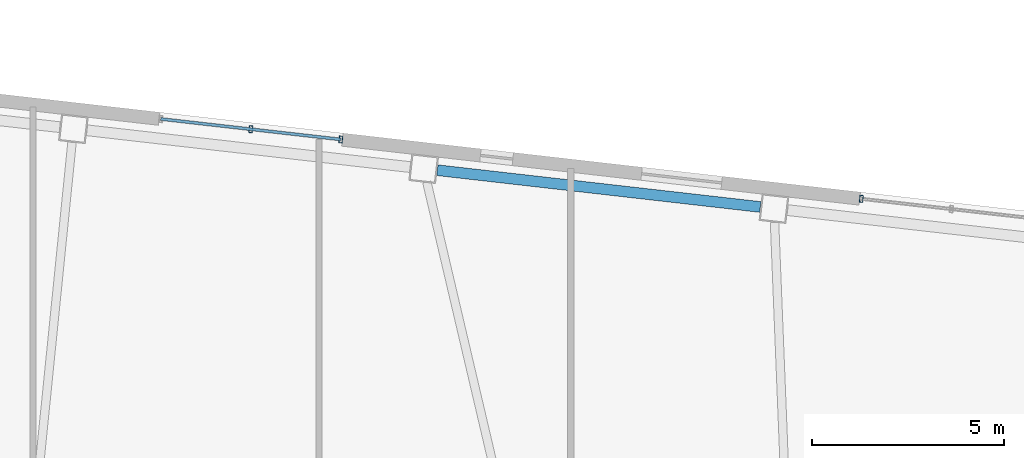
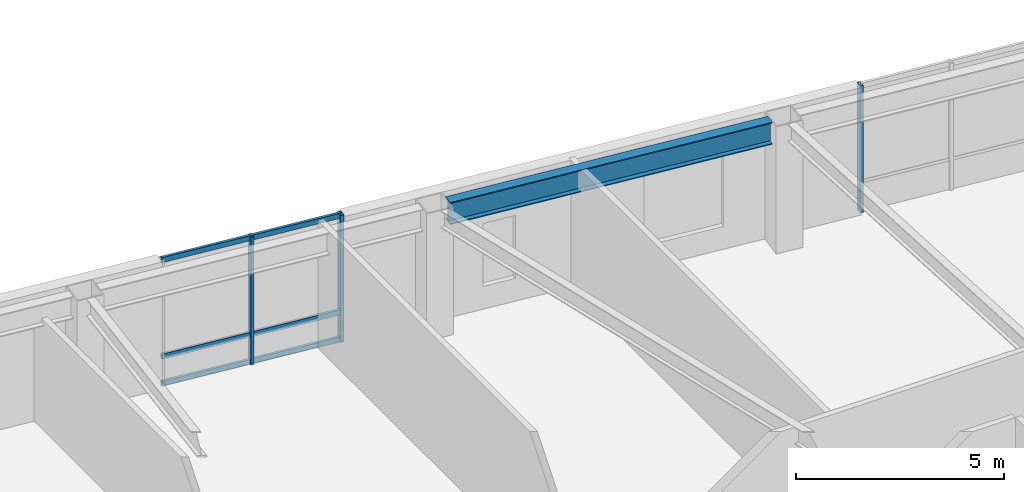
# One storey, part 9 of 22: 6 members, 1 beam, 2 elements without a shape of their own.
"""IFC4 building model written with IfcOpenShell, lengths in metres."""

from ifc_helpers import new_model, si_unit, direction, frame, origin, origin_2d, place, context, subcontext, project, spatial, hollow_rectangle, i_section, extrude, material, layer, layer_set, material_profile, profile_set, type_object, element, aggregate, save


model = new_model("IFC4")

# Units and contexts
model_context = context("Model", 3, precision=1e-05, world=origin(), true_north=direction((0.0, 1.0)))
body_context = subcontext(model_context, "Body", "Model", "MODEL_VIEW")
ifc_project = project(units=[si_unit("LENGTHUNIT", "METRE"), si_unit("AREAUNIT", "SQUARE_METRE"), si_unit("VOLUMEUNIT", "CUBIC_METRE"), si_unit("PLANEANGLEUNIT", "RADIAN"), si_unit("MASSUNIT", "GRAM", prefix="KILO")], contexts=[model_context])

# Site, building, storey
site_placement = place(None, origin())
site = spatial("IfcSite", under=ifc_project, at=site_placement, CompositionType="ELEMENT")
building_placement = place(site_placement, origin())
building = spatial("IfcBuilding", under=site, at=building_placement, Name="Tavrogorsk Clinical Tower", CompositionType="ELEMENT")
storey_placement = place(building_placement, frame((0.0, 0.0, 93.39990234375)))
storey = spatial("IfcBuildingStorey", under=building, at=storey_placement, Name="L20", CompositionType="ELEMENT", Elevation=93.39990234375)

# Curtain wall, members
ifc_material_1 = material(Name="Anodised aluminium and triple IGU glazing", Category="aluminium")
ifc_layer = layer(ifc_material_1, 0.179931640625)
ifc_layer_set = layer_set([ifc_layer], Name="Anodised aluminium and triple IGU glazing")
curtain_wall_type = type_object("IfcCurtainWallType", Name="CW2_NorthSlot", PredefinedType="NOTDEFINED", material=ifc_layer_set)
curtain_wall_1_placement = place(storey_placement, origin())
curtain_wall_1 = element("IfcCurtainWall", 1, at=curtain_wall_1_placement, inside=storey, type_object=curtain_wall_type, Name="L20 Curtain Wall CW-L20-N-SLOT-1", PredefinedType="NOTDEFINED")
ifc_material_2 = material(Name="Anodised aluminium alloy AW-6060", Category="aluminium")
ifc_material_profile_1 = material_profile(ifc_material_2, hollow_rectangle(XDim=0.090087890625, YDim=0.179931640625, WallThickness=0.00634765625, at=origin_2d()), Name="RHS-180x90x6.3")
ifc_profile_set_1 = profile_set([ifc_material_profile_1], Name="Anodised aluminium alloy AW-6060")
member_type_1 = type_object("IfcMemberType", Name="CwMullion_180x90", PredefinedType="MULLION", material=ifc_profile_set_1)
member_1_placement = place(storey_placement, frame((-1.586181640625, 23.443603515625, 0.0), z_axis=(0.0, 0.0, 1.0), x_axis=(-0.993571858269, 0.113203191016, 0.0)))
member_1 = element("IfcMember", 2, at=member_1_placement, type_object=member_type_1, Name="CW-L20-N-SLOT-1 Mullion 1", PredefinedType="MULLION", context=body_context, shape_type="SweptSolid", body=[
    extrude(hollow_rectangle(XDim=0.090087890625, YDim=0.179931640625, WallThickness=0.00634765625, at=origin_2d()), origin(), (0.0, 0.0, 1.0), 3.739990234375),
])
member_2_placement = place(storey_placement, frame((-3.929931640625, 23.71044921875, 0.0), z_axis=(0.0, 0.0, 1.0), x_axis=(-0.993571858269, 0.113203191016, 0.0)))
member_2 = element("IfcMember", 3, at=member_2_placement, type_object=member_type_1, Name="CW-L20-N-SLOT-1 Mullion 2", PredefinedType="MULLION", context=body_context, shape_type="SweptSolid", body=[
    extrude(hollow_rectangle(XDim=0.090087890625, YDim=0.179931640625, WallThickness=0.00634765625, at=origin_2d()), origin(), (0.0, 0.0, 1.0), 3.739990234375),
])

# Curtain wall, member
curtain_wall_2_placement = place(storey_placement, origin())
curtain_wall_2 = element("IfcCurtainWall", 4, at=curtain_wall_2_placement, inside=storey, type_object=curtain_wall_type, Name="L20 Curtain Wall CW-L20-N-SLOT-2", PredefinedType="NOTDEFINED")
member_3_placement = place(storey_placement, frame((11.962646484375, 21.89990234375, 0.0), z_axis=(0.0, 0.0, 1.0), x_axis=(-0.993571855603, 0.11320321441, 0.0)))
member_3 = element("IfcMember", 5, at=member_3_placement, type_object=member_type_1, Name="CW-L20-N-SLOT-2 Mullion 3", PredefinedType="MULLION", context=body_context, shape_type="SweptSolid", body=[
    extrude(hollow_rectangle(XDim=0.090087890625, YDim=0.179931640625, WallThickness=0.00634765625, at=origin_2d()), origin(), (0.0, 0.0, 1.0), 3.739990234375),
])
aggregate(curtain_wall_2, [member_3])

# Member
ifc_material_3 = material(Name="Anodised aluminium alloy AW-6060", Category="aluminium")
ifc_material_profile_2 = material_profile(ifc_material_3, hollow_rectangle(XDim=0.074951171875, YDim=0.14990234375, WallThickness=0.0048828125, at=origin_2d()), Name="RHS-150x75x5")
ifc_profile_set_2 = profile_set([ifc_material_profile_2], Name="Anodised aluminium alloy AW-6060")
member_type_2 = type_object("IfcMemberType", Name="CwTransom_150x75", PredefinedType="USERDEFINED", material=ifc_profile_set_2)
member_4_placement = place(storey_placement, frame((-1.586181640625, 23.443603515625, 0.050048828125), z_axis=(-0.993575136134, 0.11317441785, 0.0), x_axis=(-0.11317441785, -0.993575136134, 0.0)))
member_4 = element("IfcMember", 6, at=member_4_placement, type_object=member_type_2, Name="CW-L20-N-SLOT-1 Transom 1", ObjectType="TRANSOM", PredefinedType="USERDEFINED", context=body_context, shape_type="SweptSolid", body=[
    extrude(hollow_rectangle(XDim=0.074951171875, YDim=0.14990234375, WallThickness=0.0048828125, at=origin_2d()), origin(), (0.0, 0.0, 1.0), 4.7177734375),
])

member_5_placement = place(storey_placement, frame((-1.586181640625, 23.443603515625, 0.85009765625), z_axis=(-0.993575136134, 0.11317441785, 0.0), x_axis=(-0.11317441785, -0.993575136134, 0.0)))
member_5 = element("IfcMember", 7, at=member_5_placement, type_object=member_type_2, Name="CW-L20-N-SLOT-1 Transom 2", ObjectType="TRANSOM", PredefinedType="USERDEFINED", context=body_context, shape_type="SweptSolid", body=[
    extrude(hollow_rectangle(XDim=0.074951171875, YDim=0.14990234375, WallThickness=0.0048828125, at=origin_2d()), origin(), (0.0, 0.0, 1.0), 4.7177734375),
])

member_6_placement = place(storey_placement, frame((-1.586181640625, 23.443603515625, 3.690185546875), z_axis=(-0.993575136134, 0.11317441785, 0.0), x_axis=(-0.11317441785, -0.993575136134, 0.0)))
member_6 = element("IfcMember", 8, at=member_6_placement, type_object=member_type_2, Name="CW-L20-N-SLOT-1 Transom 3", ObjectType="TRANSOM", PredefinedType="USERDEFINED", context=body_context, shape_type="SweptSolid", body=[
    extrude(hollow_rectangle(XDim=0.074951171875, YDim=0.14990234375, WallThickness=0.0048828125, at=origin_2d()), origin(), (0.0, 0.0, 1.0), 4.7177734375),
])

aggregate(curtain_wall_1, [member_1, member_2, member_4, member_5, member_6])

# Beam
ifc_material_4 = material(Name="Structural steel S390", Category="steel")
ifc_material_profile_3 = material_profile(ifc_material_4, i_section(OverallWidth=0.280029296875, OverallDepth=0.64990234375, WebThickness=0.01611328125, FlangeThickness=0.02490234375, at=origin_2d()), Name="B-650x280x16x25")
ifc_profile_set_3 = profile_set([ifc_material_profile_3], Name="Structural steel S390")
beam_type = type_object("IfcBeamType", Name="SpandrelBeam_B650", PredefinedType="SPANDREL", material=ifc_profile_set_3)
beam_placement = place(storey_placement, frame((9.333984375, 21.68603515625, 3.4150390625), z_axis=(-0.99357306506, 0.113192598642, 0.0), x_axis=(-0.113192598642, -0.99357306506, 0.0)))
element("IfcBeam", 9, at=beam_placement, inside=storey, type_object=beam_type, Name="L20 Perimeter Spandrel N4-N5", PredefinedType="SPANDREL", context=body_context, shape_type="SweptSolid", body=[
    extrude(i_section(OverallWidth=0.280029296875, OverallDepth=0.64990234375, WebThickness=0.01611328125, FlangeThickness=0.02490234375, at=origin_2d()), origin(), (0.0, 0.0, 1.0), 8.46142578125),
])

save(model, "model.ifc")
